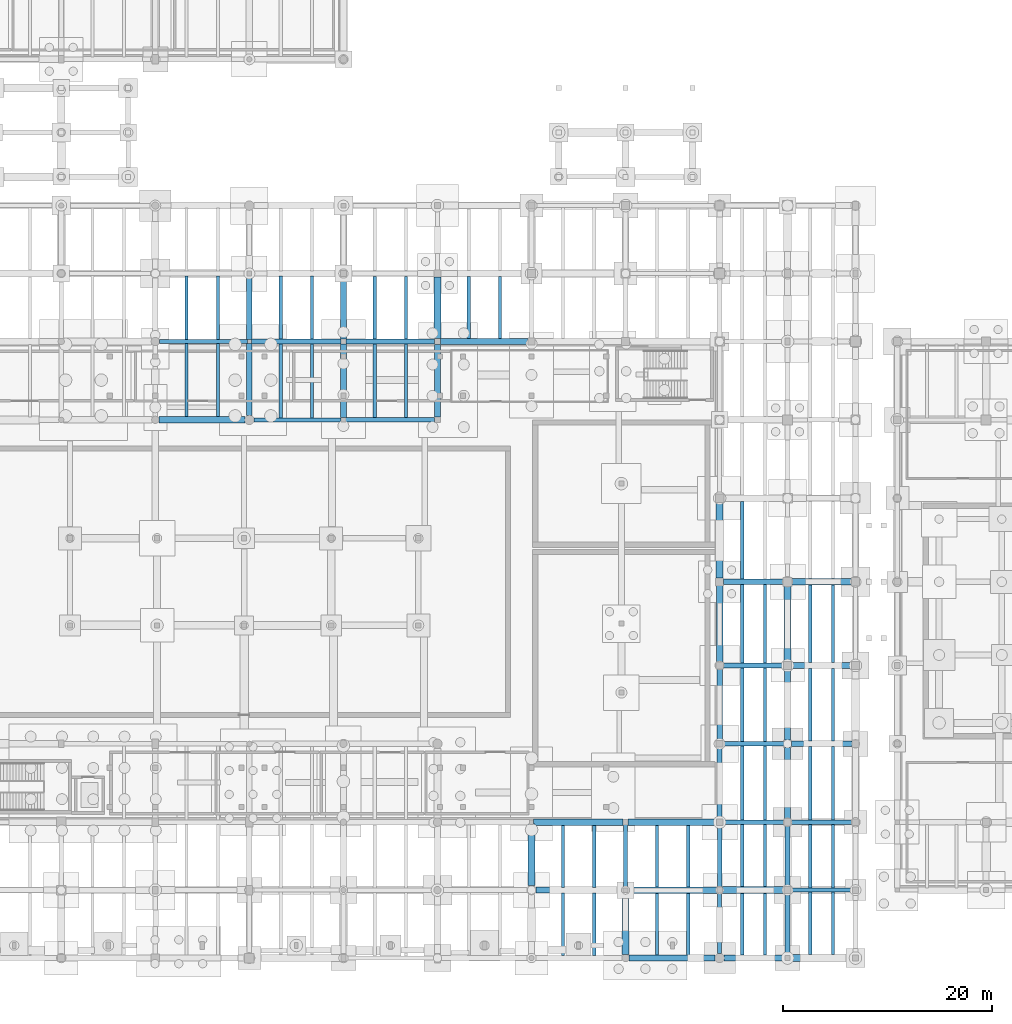
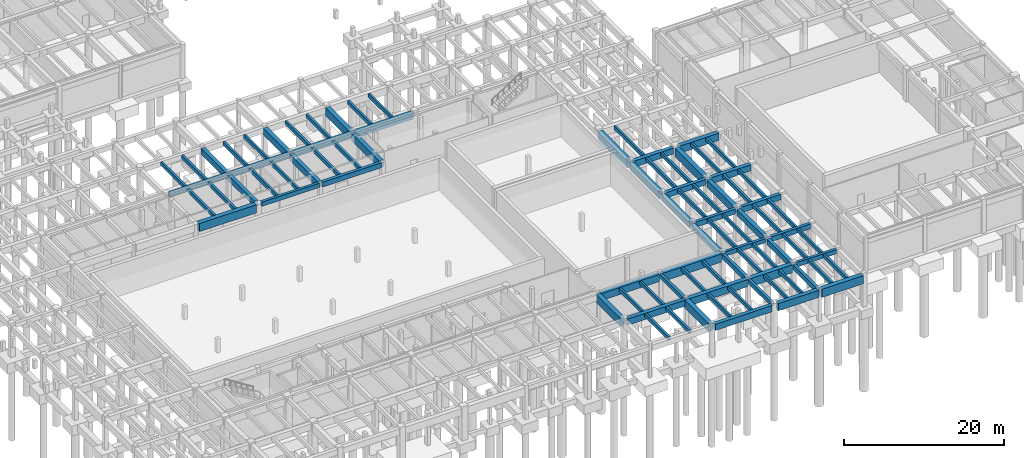
# One storey, part 22 of 36: 87 beams.
"""IFC4 building model written with IfcOpenShell, lengths in metres."""

from ifc_helpers import new_model, si_unit, direction, frame, origin, origin_2d, place, context, subcontext, project, spatial, rectangle, extrude, material, material_profile, profile_set, type_object, element, save


model = new_model("IFC4")

# Units and contexts
model_context = context("Model", 3, precision=1e-05, world=origin(), true_north=direction((0.0, 1.0)))
body_context = subcontext(model_context, "Body", "Model", "MODEL_VIEW")
ifc_project = project(units=[si_unit("LENGTHUNIT", "METRE"), si_unit("AREAUNIT", "SQUARE_METRE"), si_unit("VOLUMEUNIT", "CUBIC_METRE"), si_unit("PLANEANGLEUNIT", "RADIAN"), si_unit("MASSUNIT", "GRAM", prefix="KILO"), si_unit("THERMODYNAMICTEMPERATUREUNIT", "KELVIN"), si_unit("POWERUNIT", "WATT")], contexts=[model_context])

# Site, building, storey
site_placement = place(None, origin())
site = spatial("IfcSite", under=ifc_project, at=site_placement, CompositionType="ELEMENT")
building_placement = place(site_placement, origin())
building = spatial("IfcBuilding", under=site, at=building_placement, Name="Tepalcoro Natatorium and Aquatics Centre", CompositionType="ELEMENT")
storey_placement = place(building_placement, frame((0.0, 0.0, -5.199951171875)))
storey = spatial("IfcBuildingStorey", under=building, at=storey_placement, Name="B1", CompositionType="ELEMENT", Elevation=-5.199951171875)

# Beams
ifc_material = material(Name="Concrete C40/50 (fc 40 MPa)", Category="concrete")
ifc_material_profile_1 = material_profile(ifc_material, rectangle(XDim=0.39990234375, YDim=0.64990234375, at=origin_2d()), Name="RCB400x650")
ifc_profile_set_1 = profile_set([ifc_material_profile_1], Name="Concrete C40/50 (fc 40 MPa)")
beam_type_1 = type_object("IfcBeamType", Name="BM_RC_400x650", PredefinedType="BEAM", material=ifc_profile_set_1)
beam_1_placement = place(storey_placement, frame((131.81005859375, 6.5, 4.579833984375), z_axis=(1.0, 0.0, 0.0), x_axis=(0.0, 1.0, 0.0)))
element("IfcBeam", 1, at=beam_1_placement, inside=storey, type_object=beam_type_1, Name="V1 B1 Grid Girder X", PredefinedType="BEAM", context=body_context, shape_type="SweptSolid", body=[
    extrude(rectangle(XDim=0.39990234375, YDim=0.64990234375, at=origin_2d()), origin(), (0.0, 0.0, 1.0), 5.905029296875),
])
beam_2_placement = place(storey_placement, frame((125.284912109375, 13.0, 4.579833984375), z_axis=(1.0, 0.0, 0.0), x_axis=(0.0, 1.0, 0.0)))
element("IfcBeam", 2, at=beam_2_placement, inside=storey, type_object=beam_type_1, Name="V1 B1 Grid Girder X", PredefinedType="BEAM", context=body_context, shape_type="SweptSolid", body=[
    extrude(rectangle(XDim=0.39990234375, YDim=0.64990234375, at=origin_2d()), origin(), (0.0, 0.0, 1.0), 5.880126953125),
])
beam_3_placement = place(storey_placement, frame((80.43505859375, 51.5, 4.56005859375), z_axis=(1.0, 0.0, 0.0), x_axis=(0.0, 1.0, 0.0)))
element("IfcBeam", 3, at=beam_3_placement, inside=storey, type_object=beam_type_1, Name="V1 B1 Grid Girder X", PredefinedType="BEAM", context=body_context, shape_type="SweptSolid", body=[
    extrude(rectangle(XDim=0.39990234375, YDim=0.64990234375, at=origin_2d()), origin(), (0.0, 0.0, 1.0), 8.35498046875),
])
beam_4_placement = place(storey_placement, frame((71.385009765625, 59.0, 4.579833984375), z_axis=(1.0, 0.0, 0.0), x_axis=(0.0, 1.0, 0.0)))
element("IfcBeam", 4, at=beam_4_placement, inside=storey, type_object=beam_type_1, Name="V1 B1 Grid Girder X", PredefinedType="BEAM", context=body_context, shape_type="SweptSolid", body=[
    extrude(rectangle(XDim=0.39990234375, YDim=0.64990234375, at=origin_2d()), origin(), (0.0, 0.0, 1.0), 8.429931640625),
])
beam_5_placement = place(storey_placement, frame((116.0, 6.7099609375, 4.579833984375), z_axis=(0.0, 1.0, 0.0), x_axis=(-1.0, 0.0, 0.0)))
element("IfcBeam", 5, at=beam_5_placement, inside=storey, type_object=beam_type_1, Name="V1 B1 Grid Girder Y", PredefinedType="BEAM", context=body_context, shape_type="SweptSolid", body=[
    extrude(rectangle(XDim=0.39990234375, YDim=0.64990234375, at=origin_2d()), origin(), (0.0, 0.0, 1.0), 6.054931640625),
])
beam_6_placement = place(storey_placement, frame((125.0, 0.43505859375, 4.579833984375), z_axis=(0.0, 1.0, 0.0), x_axis=(-1.0, 0.0, 0.0)))
element("IfcBeam", 6, at=beam_6_placement, inside=storey, type_object=beam_type_1, Name="V1 B1 Grid Girder Y", PredefinedType="BEAM", context=body_context, shape_type="SweptSolid", body=[
    extrude(rectangle(XDim=0.39990234375, YDim=0.64990234375, at=origin_2d()), origin(), (0.0, 0.0, 1.0), 5.804931640625),
])
ifc_material_profile_2 = material_profile(ifc_material, rectangle(XDim=0.449951171875, YDim=0.75, at=origin_2d()), Name="RCB450x750")
ifc_profile_set_2 = profile_set([ifc_material_profile_2], Name="Concrete C40/50 (fc 40 MPa)")
beam_type_2 = type_object("IfcBeamType", Name="BM_RC_450x750", PredefinedType="BEAM", material=ifc_profile_set_2)
beam_7_placement = place(storey_placement, frame((131.8349609375, 13.0, 4.530029296875), z_axis=(1.0, 0.0, 0.0), x_axis=(0.0, 1.0, 0.0)))
element("IfcBeam", 7, at=beam_7_placement, inside=storey, type_object=beam_type_2, Name="V1 B1 Grid Girder X", PredefinedType="BEAM", context=body_context, shape_type="SweptSolid", body=[
    extrude(rectangle(XDim=0.449951171875, YDim=0.75, at=origin_2d()), origin(), (0.0, 0.0, 1.0), 5.85498046875),
])
beam_8_placement = place(storey_placement, frame((125.31005859375, 20.5, 4.530029296875), z_axis=(1.0, 0.0, 0.0), x_axis=(0.0, 1.0, 0.0)))
element("IfcBeam", 8, at=beam_8_placement, inside=storey, type_object=beam_type_2, Name="V1 B1 Grid Girder X", PredefinedType="BEAM", context=body_context, shape_type="SweptSolid", body=[
    extrude(rectangle(XDim=0.449951171875, YDim=0.75, at=origin_2d()), origin(), (0.0, 0.0, 1.0), 5.829833984375),
])
beam_9_placement = place(storey_placement, frame((89.2099609375, 51.5, 4.510009765625), z_axis=(1.0, 0.0, 0.0), x_axis=(0.0, 1.0, 0.0)))
element("IfcBeam", 9, at=beam_9_placement, inside=storey, type_object=beam_type_2, Name="V1 B1 Grid Girder X", PredefinedType="BEAM", context=body_context, shape_type="SweptSolid", body=[
    extrude(rectangle(XDim=0.449951171875, YDim=0.75, at=origin_2d()), origin(), (0.0, 0.0, 1.0), 8.530029296875),
])
beam_10_placement = place(storey_placement, frame((80.18505859375, 59.0, 4.530029296875), z_axis=(1.0, 0.0, 0.0), x_axis=(0.0, 1.0, 0.0)))
element("IfcBeam", 10, at=beam_10_placement, inside=storey, type_object=beam_type_2, Name="V1 B1 Grid Girder X", PredefinedType="BEAM", context=body_context, shape_type="SweptSolid", body=[
    extrude(rectangle(XDim=0.449951171875, YDim=0.75, at=origin_2d()), origin(), (0.0, 0.0, 1.0), 8.579833984375),
])
beam_11_placement = place(storey_placement, frame((125.0, 6.760009765625, 4.530029296875), z_axis=(0.0, 1.0, 0.0), x_axis=(-1.0, 0.0, 0.0)))
element("IfcBeam", 11, at=beam_11_placement, inside=storey, type_object=beam_type_2, Name="V1 B1 Grid Girder Y", PredefinedType="BEAM", context=body_context, shape_type="SweptSolid", body=[
    extrude(rectangle(XDim=0.449951171875, YDim=0.75, at=origin_2d()), origin(), (0.0, 0.0, 1.0), 5.955078125),
])
beam_12_placement = place(storey_placement, frame((131.5, 0.2099609375, 4.530029296875), z_axis=(0.0, 1.0, 0.0), x_axis=(-1.0, 0.0, 0.0)))
element("IfcBeam", 12, at=beam_12_placement, inside=storey, type_object=beam_type_2, Name="V1 B1 Grid Girder Y", PredefinedType="BEAM", context=body_context, shape_type="SweptSolid", body=[
    extrude(rectangle(XDim=0.449951171875, YDim=0.75, at=origin_2d()), origin(), (0.0, 0.0, 1.0), 5.97998046875),
])
ifc_material_profile_3 = material_profile(ifc_material, rectangle(XDim=0.5, YDim=0.85009765625, at=origin_2d()), Name="RCB500x850")
ifc_profile_set_3 = profile_set([ifc_material_profile_3], Name="Concrete C40/50 (fc 40 MPa)")
beam_type_3 = type_object("IfcBeamType", Name="BM_RC_500x850", PredefinedType="BEAM", material=ifc_profile_set_3)
beam_13_placement = place(storey_placement, frame((131.860107421875, 20.5, 4.47998046875), z_axis=(1.0, 0.0, 0.0), x_axis=(0.0, 1.0, 0.0)))
element("IfcBeam", 13, at=beam_13_placement, inside=storey, type_object=beam_type_3, Name="V1 B1 Grid Girder X", PredefinedType="BEAM", context=body_context, shape_type="SweptSolid", body=[
    extrude(rectangle(XDim=0.5, YDim=0.85009765625, at=origin_2d()), origin(), (0.0, 0.0, 1.0), 5.804931640625),
])
beam_14_placement = place(storey_placement, frame((125.3349609375, 28.0, 4.47998046875), z_axis=(1.0, 0.0, 0.0), x_axis=(0.0, 1.0, 0.0)))
element("IfcBeam", 14, at=beam_14_placement, inside=storey, type_object=beam_type_3, Name="V1 B1 Grid Girder X", PredefinedType="BEAM", context=body_context, shape_type="SweptSolid", body=[
    extrude(rectangle(XDim=0.5, YDim=0.85009765625, at=origin_2d()), origin(), (0.0, 0.0, 1.0), 5.780029296875),
])
beam_15_placement = place(storey_placement, frame((89.235107421875, 59.0, 4.47998046875), z_axis=(1.0, 0.0, 0.0), x_axis=(0.0, 1.0, 0.0)))
element("IfcBeam", 15, at=beam_15_placement, inside=storey, type_object=beam_type_3, Name="V1 B1 Grid Girder X", PredefinedType="BEAM", context=body_context, shape_type="SweptSolid", body=[
    extrude(rectangle(XDim=0.5, YDim=0.85009765625, at=origin_2d()), origin(), (0.0, 0.0, 1.0), 8.47998046875),
])
beam_16_placement = place(storey_placement, frame((80.0, 51.93505859375, 4.4599609375), z_axis=(0.0, 1.0, 0.0), x_axis=(-1.0, 0.0, 0.0)))
element("IfcBeam", 16, at=beam_16_placement, inside=storey, type_object=beam_type_3, Name="V1 B1 Grid Girder Y", PredefinedType="BEAM", context=body_context, shape_type="SweptSolid", body=[
    extrude(rectangle(XDim=0.5, YDim=0.85009765625, at=origin_2d()), origin(), (0.0, 0.0, 1.0), 6.8798828125),
])
beam_17_placement = place(storey_placement, frame((125.0, 13.284912109375, 4.47998046875), z_axis=(0.0, 1.0, 0.0), x_axis=(-1.0, 0.0, 0.0)))
element("IfcBeam", 17, at=beam_17_placement, inside=storey, type_object=beam_type_3, Name="V1 B1 Grid Girder Y", PredefinedType="BEAM", context=body_context, shape_type="SweptSolid", body=[
    extrude(rectangle(XDim=0.5, YDim=0.85009765625, at=origin_2d()), origin(), (0.0, 0.0, 1.0), 6.905029296875),
])
beam_18_placement = place(storey_placement, frame((131.5, 6.81005859375, 4.47998046875), z_axis=(0.0, 1.0, 0.0), x_axis=(-1.0, 0.0, 0.0)))
element("IfcBeam", 18, at=beam_18_placement, inside=storey, type_object=beam_type_3, Name="V1 B1 Grid Girder Y", PredefinedType="BEAM", context=body_context, shape_type="SweptSolid", body=[
    extrude(rectangle(XDim=0.5, YDim=0.85009765625, at=origin_2d()), origin(), (0.0, 0.0, 1.0), 5.85498046875),
])
ifc_material_profile_4 = material_profile(ifc_material, rectangle(XDim=0.550048828125, YDim=0.949951171875, at=origin_2d()), Name="RCB550x950")
ifc_profile_set_4 = profile_set([ifc_material_profile_4], Name="Concrete C40/50 (fc 40 MPa)")
beam_type_4 = type_object("IfcBeamType", Name="BM_RC_550x950", PredefinedType="BEAM", material=ifc_profile_set_4)
beam_19_placement = place(storey_placement, frame((116.3349609375, 0.0, 4.429931640625), z_axis=(1.0, 0.0, 0.0), x_axis=(0.0, 1.0, 0.0)))
element("IfcBeam", 19, at=beam_19_placement, inside=storey, type_object=beam_type_4, Name="V1 B1 Grid Girder X", PredefinedType="BEAM", context=body_context, shape_type="SweptSolid", body=[
    extrude(rectangle(XDim=0.550048828125, YDim=0.949951171875, at=origin_2d()), origin(), (0.0, 0.0, 1.0), 8.22998046875),
])
beam_20_placement = place(storey_placement, frame((107.43505859375, 6.5, 4.429931640625), z_axis=(1.0, 0.0, 0.0), x_axis=(0.0, 1.0, 0.0)))
element("IfcBeam", 20, at=beam_20_placement, inside=storey, type_object=beam_type_4, Name="V1 B1 Grid Girder X", PredefinedType="BEAM", context=body_context, shape_type="SweptSolid", body=[
    extrude(rectangle(XDim=0.550048828125, YDim=0.949951171875, at=origin_2d()), origin(), (0.0, 0.0, 1.0), 8.35498046875),
])
beam_21_placement = place(storey_placement, frame((131.885009765625, 28.0, 4.429931640625), z_axis=(1.0, 0.0, 0.0), x_axis=(0.0, 1.0, 0.0)))
element("IfcBeam", 21, at=beam_21_placement, inside=storey, type_object=beam_type_4, Name="V1 B1 Grid Girder X", PredefinedType="BEAM", context=body_context, shape_type="SweptSolid", body=[
    extrude(rectangle(XDim=0.550048828125, YDim=0.949951171875, at=origin_2d()), origin(), (0.0, 0.0, 1.0), 5.7548828125),
])
beam_22_placement = place(storey_placement, frame((125.360107421875, 36.0, 4.429931640625), z_axis=(1.0, 0.0, 0.0), x_axis=(0.0, 1.0, 0.0)))
element("IfcBeam", 22, at=beam_22_placement, inside=storey, type_object=beam_type_4, Name="V1 B1 Grid Girder X", PredefinedType="BEAM", context=body_context, shape_type="SweptSolid", body=[
    extrude(rectangle(XDim=0.550048828125, YDim=0.949951171875, at=origin_2d()), origin(), (0.0, 0.0, 1.0), 5.72998046875),
])
beam_23_placement = place(storey_placement, frame((98.284912109375, 59.0, 4.429931640625), z_axis=(1.0, 0.0, 0.0), x_axis=(0.0, 1.0, 0.0)))
element("IfcBeam", 23, at=beam_23_placement, inside=storey, type_object=beam_type_4, Name="V1 B1 Grid Girder X", PredefinedType="BEAM", context=body_context, shape_type="SweptSolid", body=[
    extrude(rectangle(XDim=0.550048828125, YDim=0.949951171875, at=origin_2d()), origin(), (0.0, 0.0, 1.0), 8.380126953125),
])
beam_24_placement = place(storey_placement, frame((80.0, 59.18505859375, 4.429931640625), z_axis=(0.0, 1.0, 0.0), x_axis=(-1.0, 0.0, 0.0)))
element("IfcBeam", 24, at=beam_24_placement, inside=storey, type_object=beam_type_4, Name="V1 B1 Grid Girder Y", PredefinedType="BEAM", context=body_context, shape_type="SweptSolid", body=[
    extrude(rectangle(XDim=0.550048828125, YDim=0.949951171875, at=origin_2d()), origin(), (0.0, 0.0, 1.0), 6.10498046875),
])
beam_25_placement = place(storey_placement, frame((89.0, 51.7099609375, 4.409912109375), z_axis=(0.0, 1.0, 0.0), x_axis=(-1.0, 0.0, 0.0)))
element("IfcBeam", 25, at=beam_25_placement, inside=storey, type_object=beam_type_4, Name="V1 B1 Grid Girder Y", PredefinedType="BEAM", context=body_context, shape_type="SweptSolid", body=[
    extrude(rectangle(XDim=0.550048828125, YDim=0.949951171875, at=origin_2d()), origin(), (0.0, 0.0, 1.0), 7.054931640625),
])
beam_26_placement = place(storey_placement, frame((125.0, 20.81005859375, 4.429931640625), z_axis=(0.0, 1.0, 0.0), x_axis=(-1.0, 0.0, 0.0)))
element("IfcBeam", 26, at=beam_26_placement, inside=storey, type_object=beam_type_4, Name="V1 B1 Grid Girder Y", PredefinedType="BEAM", context=body_context, shape_type="SweptSolid", body=[
    extrude(rectangle(XDim=0.550048828125, YDim=0.949951171875, at=origin_2d()), origin(), (0.0, 0.0, 1.0), 6.85498046875),
])
beam_27_placement = place(storey_placement, frame((131.5, 13.3349609375, 4.429931640625), z_axis=(0.0, 1.0, 0.0), x_axis=(-1.0, 0.0, 0.0)))
element("IfcBeam", 27, at=beam_27_placement, inside=storey, type_object=beam_type_4, Name="V1 B1 Grid Girder Y", PredefinedType="BEAM", context=body_context, shape_type="SweptSolid", body=[
    extrude(rectangle(XDim=0.550048828125, YDim=0.949951171875, at=origin_2d()), origin(), (0.0, 0.0, 1.0), 6.804931640625),
])
ifc_material_profile_5 = material_profile(ifc_material, rectangle(XDim=0.60009765625, YDim=1.10009765625, at=origin_2d()), Name="RCB600x1100")
ifc_profile_set_5 = profile_set([ifc_material_profile_5], Name="Concrete C40/50 (fc 40 MPa)")
beam_type_5 = type_object("IfcBeamType", Name="BM_RC_600x1100", PredefinedType="BEAM", material=ifc_profile_set_5)
beam_28_placement = place(storey_placement, frame((125.43505859375, 0.0, 4.35498046875), z_axis=(1.0, 0.0, 0.0), x_axis=(0.0, 1.0, 0.0)))
element("IfcBeam", 28, at=beam_28_placement, inside=storey, type_object=beam_type_5, Name="V1 B1 Grid Girder X", PredefinedType="BEAM", context=body_context, shape_type="SweptSolid", body=[
    extrude(rectangle(XDim=0.60009765625, YDim=1.10009765625, at=origin_2d()), origin(), (0.0, 0.0, 1.0), 5.85498046875),
])
beam_29_placement = place(storey_placement, frame((116.2099609375, 6.5, 4.35498046875), z_axis=(1.0, 0.0, 0.0), x_axis=(0.0, 1.0, 0.0)))
element("IfcBeam", 29, at=beam_29_placement, inside=storey, type_object=beam_type_5, Name="V1 B1 Grid Girder X", PredefinedType="BEAM", context=body_context, shape_type="SweptSolid", body=[
    extrude(rectangle(XDim=0.60009765625, YDim=1.10009765625, at=origin_2d()), origin(), (0.0, 0.0, 1.0), 8.530029296875),
])
beam_30_placement = place(storey_placement, frame((107.18505859375, 13.0, 4.35498046875), z_axis=(1.0, 0.0, 0.0), x_axis=(0.0, 1.0, 0.0)))
element("IfcBeam", 30, at=beam_30_placement, inside=storey, type_object=beam_type_5, Name="V1 B1 Grid Girder X", PredefinedType="BEAM", context=body_context, shape_type="SweptSolid", body=[
    extrude(rectangle(XDim=0.60009765625, YDim=1.10009765625, at=origin_2d()), origin(), (0.0, 0.0, 1.0), 8.579833984375),
])
beam_31_placement = place(storey_placement, frame((131.909912109375, 36.0, 4.35498046875), z_axis=(1.0, 0.0, 0.0), x_axis=(0.0, 1.0, 0.0)))
element("IfcBeam", 31, at=beam_31_placement, inside=storey, type_object=beam_type_5, Name="V1 B1 Grid Girder X", PredefinedType="BEAM", context=body_context, shape_type="SweptSolid", body=[
    extrude(rectangle(XDim=0.60009765625, YDim=1.10009765625, at=origin_2d()), origin(), (0.0, 0.0, 1.0), 5.705078125),
])
beam_32_placement = place(storey_placement, frame((89.0, 59.235107421875, 4.35498046875), z_axis=(0.0, 1.0, 0.0), x_axis=(-1.0, 0.0, 0.0)))
element("IfcBeam", 32, at=beam_32_placement, inside=storey, type_object=beam_type_5, Name="V1 B1 Grid Girder Y", PredefinedType="BEAM", context=body_context, shape_type="SweptSolid", body=[
    extrude(rectangle(XDim=0.60009765625, YDim=1.10009765625, at=origin_2d()), origin(), (0.0, 0.0, 1.0), 6.0048828125),
])
beam_33_placement = place(storey_placement, frame((98.0, 51.760009765625, 4.3349609375), z_axis=(0.0, 1.0, 0.0), x_axis=(-1.0, 0.0, 0.0)))
element("IfcBeam", 33, at=beam_33_placement, inside=storey, type_object=beam_type_5, Name="V1 B1 Grid Girder Y", PredefinedType="BEAM", context=body_context, shape_type="SweptSolid", body=[
    extrude(rectangle(XDim=0.60009765625, YDim=1.10009765625, at=origin_2d()), origin(), (0.0, 0.0, 1.0), 6.955078125),
])
beam_34_placement = place(storey_placement, frame((125.0, 28.3349609375, 4.35498046875), z_axis=(0.0, 1.0, 0.0), x_axis=(-1.0, 0.0, 0.0)))
element("IfcBeam", 34, at=beam_34_placement, inside=storey, type_object=beam_type_5, Name="V1 B1 Grid Girder Y", PredefinedType="BEAM", context=body_context, shape_type="SweptSolid", body=[
    extrude(rectangle(XDim=0.60009765625, YDim=1.10009765625, at=origin_2d()), origin(), (0.0, 0.0, 1.0), 7.304931640625),
])
beam_35_placement = place(storey_placement, frame((131.5, 20.860107421875, 4.35498046875), z_axis=(0.0, 1.0, 0.0), x_axis=(-1.0, 0.0, 0.0)))
element("IfcBeam", 35, at=beam_35_placement, inside=storey, type_object=beam_type_5, Name="V1 B1 Grid Girder Y", PredefinedType="BEAM", context=body_context, shape_type="SweptSolid", body=[
    extrude(rectangle(XDim=0.60009765625, YDim=1.10009765625, at=origin_2d()), origin(), (0.0, 0.0, 1.0), 6.7548828125),
])
ifc_material_profile_6 = material_profile(ifc_material, rectangle(XDim=0.64990234375, YDim=1.25, at=origin_2d()), Name="RCB650x1250")
ifc_profile_set_6 = profile_set([ifc_material_profile_6], Name="Concrete C40/50 (fc 40 MPa)")
beam_type_6 = type_object("IfcBeamType", Name="BM_RC_650x1250", PredefinedType="BEAM", material=ifc_profile_set_6)
beam_36_placement = place(storey_placement, frame((131.7099609375, 0.0, 4.280029296875), z_axis=(1.0, 0.0, 0.0), x_axis=(0.0, 1.0, 0.0)))
element("IfcBeam", 36, at=beam_36_placement, inside=storey, type_object=beam_type_6, Name="V1 B1 Grid Girder X", PredefinedType="BEAM", context=body_context, shape_type="SweptSolid", body=[
    extrude(rectangle(XDim=0.64990234375, YDim=1.25, at=origin_2d()), origin(), (0.0, 0.0, 1.0), 6.030029296875),
])
beam_37_placement = place(storey_placement, frame((125.260009765625, 6.5, 4.280029296875), z_axis=(1.0, 0.0, 0.0), x_axis=(0.0, 1.0, 0.0)))
element("IfcBeam", 37, at=beam_37_placement, inside=storey, type_object=beam_type_6, Name="V1 B1 Grid Girder X", PredefinedType="BEAM", context=body_context, shape_type="SweptSolid", body=[
    extrude(rectangle(XDim=0.64990234375, YDim=1.25, at=origin_2d()), origin(), (0.0, 0.0, 1.0), 5.929931640625),
])
beam_38_placement = place(storey_placement, frame((116.235107421875, 13.0, 4.280029296875), z_axis=(1.0, 0.0, 0.0), x_axis=(0.0, 1.0, 0.0)))
element("IfcBeam", 38, at=beam_38_placement, inside=storey, type_object=beam_type_6, Name="V1 B1 Grid Girder X", PredefinedType="BEAM", context=body_context, shape_type="SweptSolid", body=[
    extrude(rectangle(XDim=0.64990234375, YDim=1.25, at=origin_2d()), origin(), (0.0, 0.0, 1.0), 8.47998046875),
])
beam_39_placement = place(storey_placement, frame((71.3349609375, 51.5, 4.260009765625), z_axis=(1.0, 0.0, 0.0), x_axis=(0.0, 1.0, 0.0)))
element("IfcBeam", 39, at=beam_39_placement, inside=storey, type_object=beam_type_6, Name="V1 B1 Grid Girder X", PredefinedType="BEAM", context=body_context, shape_type="SweptSolid", body=[
    extrude(rectangle(XDim=0.64990234375, YDim=1.25, at=origin_2d()), origin(), (0.0, 0.0, 1.0), 8.22998046875),
])
beam_40_placement = place(storey_placement, frame((98.0, 59.284912109375, 4.280029296875), z_axis=(0.0, 1.0, 0.0), x_axis=(-1.0, 0.0, 0.0)))
element("IfcBeam", 40, at=beam_40_placement, inside=storey, type_object=beam_type_6, Name="V1 B1 Grid Girder Y", PredefinedType="BEAM", context=body_context, shape_type="SweptSolid", body=[
    extrude(rectangle(XDim=0.64990234375, YDim=1.25, at=origin_2d()), origin(), (0.0, 0.0, 1.0), 5.905029296875),
])
beam_41_placement = place(storey_placement, frame((107.0, 6.93505859375, 4.280029296875), z_axis=(0.0, 1.0, 0.0), x_axis=(-1.0, 0.0, 0.0)))
element("IfcBeam", 41, at=beam_41_placement, inside=storey, type_object=beam_type_6, Name="V1 B1 Grid Girder Y", PredefinedType="BEAM", context=body_context, shape_type="SweptSolid", body=[
    extrude(rectangle(XDim=0.64990234375, YDim=1.25, at=origin_2d()), origin(), (0.0, 0.0, 1.0), 5.8798828125),
])
beam_42_placement = place(storey_placement, frame((116.0, 0.3349609375, 4.280029296875), z_axis=(0.0, 1.0, 0.0), x_axis=(-1.0, 0.0, 0.0)))
element("IfcBeam", 42, at=beam_42_placement, inside=storey, type_object=beam_type_6, Name="V1 B1 Grid Girder Y", PredefinedType="BEAM", context=body_context, shape_type="SweptSolid", body=[
    extrude(rectangle(XDim=0.64990234375, YDim=1.25, at=origin_2d()), origin(), (0.0, 0.0, 1.0), 5.955078125),
])
beam_43_placement = place(storey_placement, frame((125.0, 36.360107421875, 4.280029296875), z_axis=(0.0, 1.0, 0.0), x_axis=(-1.0, 0.0, 0.0)))
element("IfcBeam", 43, at=beam_43_placement, inside=storey, type_object=beam_type_6, Name="V1 B1 Grid Girder Y", PredefinedType="BEAM", context=body_context, shape_type="SweptSolid", body=[
    extrude(rectangle(XDim=0.64990234375, YDim=1.25, at=origin_2d()), origin(), (0.0, 0.0, 1.0), 7.2548828125),
])
beam_44_placement = place(storey_placement, frame((131.5, 28.385009765625, 4.280029296875), z_axis=(0.0, 1.0, 0.0), x_axis=(-1.0, 0.0, 0.0)))
element("IfcBeam", 44, at=beam_44_placement, inside=storey, type_object=beam_type_6, Name="V1 B1 Grid Girder Y", PredefinedType="BEAM", context=body_context, shape_type="SweptSolid", body=[
    extrude(rectangle(XDim=0.64990234375, YDim=1.25, at=origin_2d()), origin(), (0.0, 0.0, 1.0), 7.205078125),
])
ifc_material_profile_7 = material_profile(ifc_material, rectangle(XDim=0.300048828125, YDim=0.550048828125, at=origin_2d()), Name="RCJ300x550")
ifc_profile_set_7 = profile_set([ifc_material_profile_7], Name="Concrete C40/50 (fc 40 MPa)")
beam_type_7 = type_object("IfcBeamType", Name="JS_RC_300x550", PredefinedType="JOIST", material=ifc_profile_set_7)
for number, where, z_axis, x_axis, name in (
    (45, (74.0, 51.824951171875, 4.60986328125), (0.0, 1.0, 0.0), (-1.0, 0.0, 0.0), "V1 B1 Floor Joist"),
    (46, (77.0, 51.824951171875, 4.60986328125), (0.0, 1.0, 0.0), (-1.0, 0.0, 0.0), "V1 B1 Floor Joist"),
):
    element("IfcBeam", number, at=place(storey_placement, frame(where, z_axis=z_axis, x_axis=x_axis)), inside=storey, type_object=beam_type_7, Name=name, PredefinedType="JOIST", context=body_context, shape_type="SweptSolid", body=[
        extrude(rectangle(XDim=0.300048828125, YDim=0.550048828125, at=origin_2d()), origin(), (0.0, 0.0, 1.0), 6.97509765625),
    ])
for number, where, z_axis, x_axis, name in (
    (47, (74.0, 59.199951171875, 4.6298828125), (0.0, 1.0, 0.0), (-1.0, 0.0, 0.0), "V1 B1 Floor Joist"),
    (48, (77.0, 59.199951171875, 4.6298828125), (0.0, 1.0, 0.0), (-1.0, 0.0, 0.0), "V1 B1 Floor Joist"),
):
    element("IfcBeam", number, at=place(storey_placement, frame(where, z_axis=z_axis, x_axis=x_axis)), inside=storey, type_object=beam_type_7, Name=name, PredefinedType="JOIST", context=body_context, shape_type="SweptSolid", body=[
        extrude(rectangle(XDim=0.300048828125, YDim=0.550048828125, at=origin_2d()), origin(), (0.0, 0.0, 1.0), 6.074951171875),
    ])
for number, where, z_axis, x_axis, name in (
    (49, (83.0, 51.699951171875, 4.60986328125), (0.0, 1.0, 0.0), (-1.0, 0.0, 0.0), "V1 B1 Floor Joist"),
    (50, (86.0, 51.699951171875, 4.60986328125), (0.0, 1.0, 0.0), (-1.0, 0.0, 0.0), "V1 B1 Floor Joist"),
):
    element("IfcBeam", number, at=place(storey_placement, frame(where, z_axis=z_axis, x_axis=x_axis)), inside=storey, type_object=beam_type_7, Name=name, PredefinedType="JOIST", context=body_context, shape_type="SweptSolid", body=[
        extrude(rectangle(XDim=0.300048828125, YDim=0.550048828125, at=origin_2d()), origin(), (0.0, 0.0, 1.0), 7.074951171875),
    ])
for number, where, z_axis, x_axis, name in (
    (51, (83.0, 59.22509765625, 4.6298828125), (0.0, 1.0, 0.0), (-1.0, 0.0, 0.0), "V1 B1 Floor Joist"),
    (52, (86.0, 59.22509765625, 4.6298828125), (0.0, 1.0, 0.0), (-1.0, 0.0, 0.0), "V1 B1 Floor Joist"),
):
    element("IfcBeam", number, at=place(storey_placement, frame(where, z_axis=z_axis, x_axis=x_axis)), inside=storey, type_object=beam_type_7, Name=name, PredefinedType="JOIST", context=body_context, shape_type="SweptSolid", body=[
        extrude(rectangle(XDim=0.300048828125, YDim=0.550048828125, at=origin_2d()), origin(), (0.0, 0.0, 1.0), 6.02490234375),
    ])
for number, where, z_axis, x_axis, name in (
    (53, (92.0, 51.72509765625, 4.60986328125), (0.0, 1.0, 0.0), (-1.0, 0.0, 0.0), "V1 B1 Floor Joist"),
    (54, (95.0, 51.72509765625, 4.60986328125), (0.0, 1.0, 0.0), (-1.0, 0.0, 0.0), "V1 B1 Floor Joist"),
):
    element("IfcBeam", number, at=place(storey_placement, frame(where, z_axis=z_axis, x_axis=x_axis)), inside=storey, type_object=beam_type_7, Name=name, PredefinedType="JOIST", context=body_context, shape_type="SweptSolid", body=[
        extrude(rectangle(XDim=0.300048828125, YDim=0.550048828125, at=origin_2d()), origin(), (0.0, 0.0, 1.0), 7.02490234375),
    ])
for number, where, z_axis, x_axis, name in (
    (55, (92.0, 59.25, 4.6298828125), (0.0, 1.0, 0.0), (-1.0, 0.0, 0.0), "V1 B1 Floor Joist"),
    (56, (95.0, 59.25, 4.6298828125), (0.0, 1.0, 0.0), (-1.0, 0.0, 0.0), "V1 B1 Floor Joist"),
):
    element("IfcBeam", number, at=place(storey_placement, frame(where, z_axis=z_axis, x_axis=x_axis)), inside=storey, type_object=beam_type_7, Name=name, PredefinedType="JOIST", context=body_context, shape_type="SweptSolid", body=[
        extrude(rectangle(XDim=0.300048828125, YDim=0.550048828125, at=origin_2d()), origin(), (0.0, 0.0, 1.0), 5.97509765625),
    ])
for number, where, z_axis, x_axis, name in (
    (57, (101.0, 59.27490234375, 4.6298828125), (0.0, 1.0, 0.0), (-1.0, 0.0, 0.0), "V1 B1 Floor Joist"),
    (58, (104.0, 59.27490234375, 4.6298828125), (0.0, 1.0, 0.0), (-1.0, 0.0, 0.0), "V1 B1 Floor Joist"),
):
    element("IfcBeam", number, at=place(storey_placement, frame(where, z_axis=z_axis, x_axis=x_axis)), inside=storey, type_object=beam_type_7, Name=name, PredefinedType="JOIST", context=body_context, shape_type="SweptSolid", body=[
        extrude(rectangle(XDim=0.300048828125, YDim=0.550048828125, at=origin_2d()), origin(), (0.0, 0.0, 1.0), 5.925048828125),
    ])
for number, where, z_axis, x_axis, name in (
    (59, (110.0, 0.25, 4.6298828125), (0.0, 1.0, 0.0), (-1.0, 0.0, 0.0), "V1 B1 Floor Joist"),
    (60, (113.0, 0.25, 4.6298828125), (0.0, 1.0, 0.0), (-1.0, 0.0, 0.0), "V1 B1 Floor Joist"),
):
    element("IfcBeam", number, at=place(storey_placement, frame(where, z_axis=z_axis, x_axis=x_axis)), inside=storey, type_object=beam_type_7, Name=name, PredefinedType="JOIST", context=body_context, shape_type="SweptSolid", body=[
        extrude(rectangle(XDim=0.300048828125, YDim=0.550048828125, at=origin_2d()), origin(), (0.0, 0.0, 1.0), 5.97509765625),
    ])
for number, where, z_axis, x_axis, name in (
    (61, (110.0, 6.77490234375, 4.6298828125), (0.0, 1.0, 0.0), (-1.0, 0.0, 0.0), "V1 B1 Floor Joist"),
    (62, (113.0, 6.77490234375, 4.6298828125), (0.0, 1.0, 0.0), (-1.0, 0.0, 0.0), "V1 B1 Floor Joist"),
    (63, (119.0, 0.27490234375, 4.6298828125), (0.0, 1.0, 0.0), (-1.0, 0.0, 0.0), "V1 B1 Floor Joist"),
    (64, (122.0, 0.27490234375, 4.6298828125), (0.0, 1.0, 0.0), (-1.0, 0.0, 0.0), "V1 B1 Floor Joist"),
):
    element("IfcBeam", number, at=place(storey_placement, frame(where, z_axis=z_axis, x_axis=x_axis)), inside=storey, type_object=beam_type_7, Name=name, PredefinedType="JOIST", context=body_context, shape_type="SweptSolid", body=[
        extrude(rectangle(XDim=0.300048828125, YDim=0.550048828125, at=origin_2d()), origin(), (0.0, 0.0, 1.0), 5.925048828125),
    ])
for number, where, z_axis, x_axis, name in (
    (65, (119.0, 6.800048828125, 4.6298828125), (0.0, 1.0, 0.0), (-1.0, 0.0, 0.0), "V1 B1 Floor Joist"),
    (66, (122.0, 6.800048828125, 4.6298828125), (0.0, 1.0, 0.0), (-1.0, 0.0, 0.0), "V1 B1 Floor Joist"),
    (67, (127.166748046875, 0.300048828125, 4.6298828125), (0.0, 1.0, 0.0), (-1.0, 0.0, 0.0), "V1 B1 Floor Joist"),
    (68, (129.333251953125, 0.300048828125, 4.6298828125), (0.0, 1.0, 0.0), (-1.0, 0.0, 0.0), "V1 B1 Floor Joist"),
):
    element("IfcBeam", number, at=place(storey_placement, frame(where, z_axis=z_axis, x_axis=x_axis)), inside=storey, type_object=beam_type_7, Name=name, PredefinedType="JOIST", context=body_context, shape_type="SweptSolid", body=[
        extrude(rectangle(XDim=0.300048828125, YDim=0.550048828125, at=origin_2d()), origin(), (0.0, 0.0, 1.0), 5.875),
    ])
for number, where, z_axis, x_axis, name in (
    (69, (127.166748046875, 6.824951171875, 4.6298828125), (0.0, 1.0, 0.0), (-1.0, 0.0, 0.0), "V1 B1 Floor Joist"),
    (70, (129.333251953125, 6.824951171875, 4.6298828125), (0.0, 1.0, 0.0), (-1.0, 0.0, 0.0), "V1 B1 Floor Joist"),
):
    element("IfcBeam", number, at=place(storey_placement, frame(where, z_axis=z_axis, x_axis=x_axis)), inside=storey, type_object=beam_type_7, Name=name, PredefinedType="JOIST", context=body_context, shape_type="SweptSolid", body=[
        extrude(rectangle(XDim=0.300048828125, YDim=0.550048828125, at=origin_2d()), origin(), (0.0, 0.0, 1.0), 5.97509765625),
    ])
for number, where, z_axis, x_axis, name in (
    (71, (127.166748046875, 13.199951171875, 4.6298828125), (0.0, 1.0, 0.0), (-1.0, 0.0, 0.0), "V1 B1 Floor Joist"),
    (72, (129.333251953125, 13.199951171875, 4.6298828125), (0.0, 1.0, 0.0), (-1.0, 0.0, 0.0), "V1 B1 Floor Joist"),
):
    element("IfcBeam", number, at=place(storey_placement, frame(where, z_axis=z_axis, x_axis=x_axis)), inside=storey, type_object=beam_type_7, Name=name, PredefinedType="JOIST", context=body_context, shape_type="SweptSolid", body=[
        extrude(rectangle(XDim=0.300048828125, YDim=0.550048828125, at=origin_2d()), origin(), (0.0, 0.0, 1.0), 7.074951171875),
    ])
for number, where, z_axis, x_axis, name in (
    (73, (127.166748046875, 20.72509765625, 4.6298828125), (0.0, 1.0, 0.0), (-1.0, 0.0, 0.0), "V1 B1 Floor Joist"),
    (74, (129.333251953125, 20.72509765625, 4.6298828125), (0.0, 1.0, 0.0), (-1.0, 0.0, 0.0), "V1 B1 Floor Joist"),
):
    element("IfcBeam", number, at=place(storey_placement, frame(where, z_axis=z_axis, x_axis=x_axis)), inside=storey, type_object=beam_type_7, Name=name, PredefinedType="JOIST", context=body_context, shape_type="SweptSolid", body=[
        extrude(rectangle(XDim=0.300048828125, YDim=0.550048828125, at=origin_2d()), origin(), (0.0, 0.0, 1.0), 7.02490234375),
    ])
for number, where, z_axis, x_axis, name in (
    (75, (127.166748046875, 28.25, 4.6298828125), (0.0, 1.0, 0.0), (-1.0, 0.0, 0.0), "V1 B1 Floor Joist"),
    (76, (129.333251953125, 28.25, 4.6298828125), (0.0, 1.0, 0.0), (-1.0, 0.0, 0.0), "V1 B1 Floor Joist"),
):
    element("IfcBeam", number, at=place(storey_placement, frame(where, z_axis=z_axis, x_axis=x_axis)), inside=storey, type_object=beam_type_7, Name=name, PredefinedType="JOIST", context=body_context, shape_type="SweptSolid", body=[
        extrude(rectangle(XDim=0.300048828125, YDim=0.550048828125, at=origin_2d()), origin(), (0.0, 0.0, 1.0), 7.47509765625),
    ])
beam_45_placement = place(storey_placement, frame((127.166748046875, 36.27490234375, 4.6298828125), z_axis=(0.0, 1.0, 0.0), x_axis=(-1.0, 0.0, 0.0)))
element("IfcBeam", 77, at=beam_45_placement, inside=storey, type_object=beam_type_7, Name="V1 B1 Floor Joist", PredefinedType="JOIST", context=body_context, shape_type="SweptSolid", body=[
    extrude(rectangle(XDim=0.300048828125, YDim=0.550048828125, at=origin_2d()), origin(), (0.0, 0.0, 1.0), 7.425048828125),
])
for number, where, z_axis, x_axis, name in (
    (78, (133.666748046875, 0.324951171875, 4.6298828125), (0.0, 1.0, 0.0), (-1.0, 0.0, 0.0), "V1 B1 Floor Joist"),
    (79, (135.833251953125, 0.324951171875, 4.6298828125), (0.0, 1.0, 0.0), (-1.0, 0.0, 0.0), "V1 B1 Floor Joist"),
):
    element("IfcBeam", number, at=place(storey_placement, frame(where, z_axis=z_axis, x_axis=x_axis)), inside=storey, type_object=beam_type_7, Name=name, PredefinedType="JOIST", context=body_context, shape_type="SweptSolid", body=[
        extrude(rectangle(XDim=0.300048828125, YDim=0.550048828125, at=origin_2d()), origin(), (0.0, 0.0, 1.0), 5.97509765625),
    ])
for number, where, z_axis, x_axis, name in (
    (80, (133.666748046875, 6.699951171875, 4.6298828125), (0.0, 1.0, 0.0), (-1.0, 0.0, 0.0), "V1 B1 Floor Joist"),
    (81, (135.833251953125, 6.699951171875, 4.6298828125), (0.0, 1.0, 0.0), (-1.0, 0.0, 0.0), "V1 B1 Floor Joist"),
):
    element("IfcBeam", number, at=place(storey_placement, frame(where, z_axis=z_axis, x_axis=x_axis)), inside=storey, type_object=beam_type_7, Name=name, PredefinedType="JOIST", context=body_context, shape_type="SweptSolid", body=[
        extrude(rectangle(XDim=0.300048828125, YDim=0.550048828125, at=origin_2d()), origin(), (0.0, 0.0, 1.0), 6.074951171875),
    ])
for number, where, z_axis, x_axis, name in (
    (82, (133.666748046875, 13.22509765625, 4.6298828125), (0.0, 1.0, 0.0), (-1.0, 0.0, 0.0), "V1 B1 Floor Joist"),
    (83, (135.833251953125, 13.22509765625, 4.6298828125), (0.0, 1.0, 0.0), (-1.0, 0.0, 0.0), "V1 B1 Floor Joist"),
):
    element("IfcBeam", number, at=place(storey_placement, frame(where, z_axis=z_axis, x_axis=x_axis)), inside=storey, type_object=beam_type_7, Name=name, PredefinedType="JOIST", context=body_context, shape_type="SweptSolid", body=[
        extrude(rectangle(XDim=0.300048828125, YDim=0.550048828125, at=origin_2d()), origin(), (0.0, 0.0, 1.0), 7.02490234375),
    ])
for number, where, z_axis, x_axis, name in (
    (84, (133.666748046875, 20.75, 4.6298828125), (0.0, 1.0, 0.0), (-1.0, 0.0, 0.0), "V1 B1 Floor Joist"),
    (85, (135.833251953125, 20.75, 4.6298828125), (0.0, 1.0, 0.0), (-1.0, 0.0, 0.0), "V1 B1 Floor Joist"),
):
    element("IfcBeam", number, at=place(storey_placement, frame(where, z_axis=z_axis, x_axis=x_axis)), inside=storey, type_object=beam_type_7, Name=name, PredefinedType="JOIST", context=body_context, shape_type="SweptSolid", body=[
        extrude(rectangle(XDim=0.300048828125, YDim=0.550048828125, at=origin_2d()), origin(), (0.0, 0.0, 1.0), 6.97509765625),
    ])
for number, where, z_axis, x_axis, name in (
    (86, (133.666748046875, 28.27490234375, 4.6298828125), (0.0, 1.0, 0.0), (-1.0, 0.0, 0.0), "V1 B1 Floor Joist"),
    (87, (135.833251953125, 28.27490234375, 4.6298828125), (0.0, 1.0, 0.0), (-1.0, 0.0, 0.0), "V1 B1 Floor Joist"),
):
    element("IfcBeam", number, at=place(storey_placement, frame(where, z_axis=z_axis, x_axis=x_axis)), inside=storey, type_object=beam_type_7, Name=name, PredefinedType="JOIST", context=body_context, shape_type="SweptSolid", body=[
        extrude(rectangle(XDim=0.300048828125, YDim=0.550048828125, at=origin_2d()), origin(), (0.0, 0.0, 1.0), 7.425048828125),
    ])

save(model, "model.ifc")
